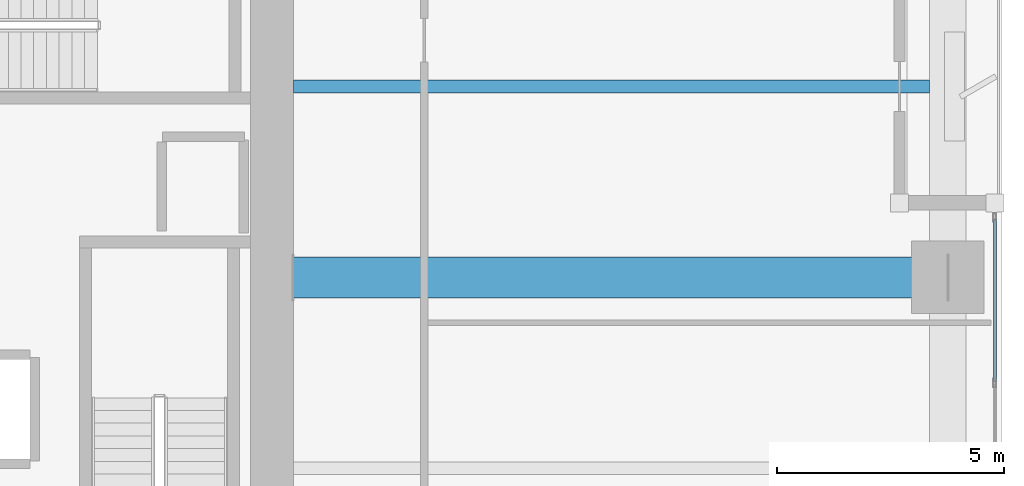
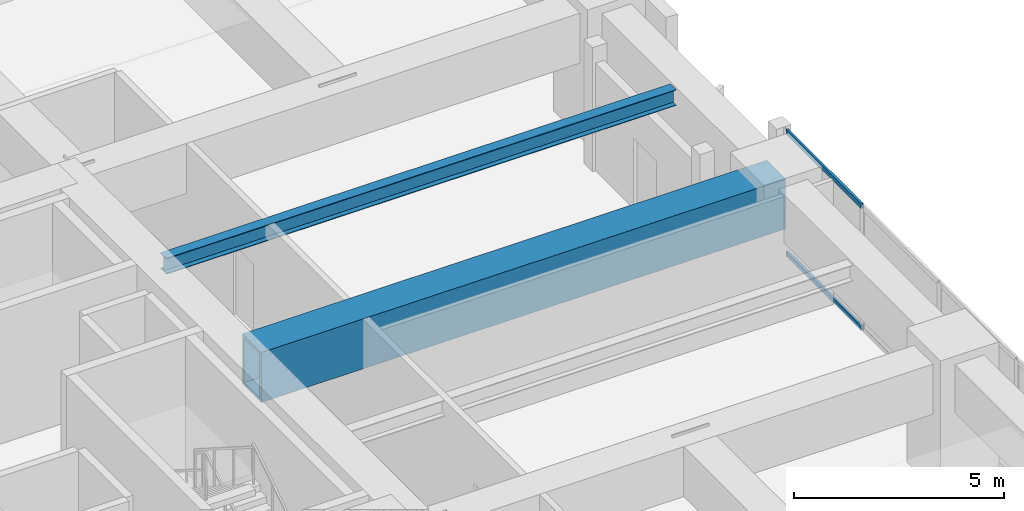
# One storey, part 9 of 28: 2 beams, 2 members, 1 element without a shape of its own.
"""IFC4 building model written with IfcOpenShell, lengths in metres."""

from ifc_helpers import new_model, si_unit, direction, frame, origin, origin_2d, place, context, subcontext, project, spatial, hollow_rectangle, i_section, extrude, material, layer, layer_set, material_profile, profile_set, type_object, element, aggregate, save


model = new_model("IFC4")

# Units and contexts
model_context = context("Model", 3, precision=1e-05, world=origin(), true_north=direction((0.0, 1.0)))
body_context = subcontext(model_context, "Body", "Model", "MODEL_VIEW")
ifc_project = project(units=[si_unit("LENGTHUNIT", "METRE"), si_unit("AREAUNIT", "SQUARE_METRE"), si_unit("VOLUMEUNIT", "CUBIC_METRE"), si_unit("PLANEANGLEUNIT", "RADIAN"), si_unit("MASSUNIT", "GRAM", prefix="KILO")], contexts=[model_context])

# Site, building, storey
site_placement = place(None, origin())
site = spatial("IfcSite", under=ifc_project, at=site_placement, CompositionType="ELEMENT")
building_placement = place(site_placement, origin())
building = spatial("IfcBuilding", under=site, at=building_placement, Name="Kiyonajd Concourse Tower", CompositionType="ELEMENT")
storey_placement = place(building_placement, frame((0.0, 0.0, 76.800048828125)))
storey = spatial("IfcBuildingStorey", under=building, at=storey_placement, Name="L20", CompositionType="ELEMENT", Elevation=76.800048828125)

# Beams
ifc_material_1 = material(Name="Steel ASTM A992 Grade 50", Category="steel")
ifc_material_profile_1 = material_profile(ifc_material_1, i_section(OverallWidth=0.280029296875, OverallDepth=0.462890625, WebThickness=0.0107421875, FlangeThickness=0.017333984375, at=origin_2d()), Name="W460X113")
ifc_profile_set_1 = profile_set([ifc_material_profile_1], Name="Steel ASTM A992 Grade 50")
beam_type_1 = type_object("IfcBeamType", Name="BM-JST-460A", PredefinedType="JOIST", material=ifc_profile_set_1)
beam_1_placement = place(storey_placement, frame((63.60009765625, 40.199951171875, 3.368408203125), z_axis=(1.0, 0.0, 0.0), x_axis=(0.0, 1.0, 0.0)))
element("IfcBeam", 1, at=beam_1_placement, inside=storey, type_object=beam_type_1, Name="L20 East Secondary Floor Joist", PredefinedType="JOIST", context=body_context, shape_type="SweptSolid", body=[
    extrude(i_section(OverallWidth=0.280029296875, OverallDepth=0.462890625, WebThickness=0.0107421875, FlangeThickness=0.017333984375, at=origin_2d()), origin(), (0.0, 0.0, 1.0), 14.0),
])
ifc_material_2 = material(Name="Steel ASTM A572 Grade 50", Category="steel")
ifc_material_profile_2 = material_profile(ifc_material_2, hollow_rectangle(XDim=0.89990234375, YDim=1.449951171875, WallThickness=0.074951171875, at=origin_2d()), Name="BOX-1450x900x75")
ifc_profile_set_2 = profile_set([ifc_material_profile_2], Name="Steel ASTM A572 Grade 50")
beam_type_2 = type_object("IfcBeamType", Name="BM-XFER-1800", PredefinedType="BEAM", material=ifc_profile_set_2)
beam_2_placement = place(storey_placement, frame((63.60009765625, 36.0, 2.875), z_axis=(1.0, 0.0, 0.0), x_axis=(0.0, 1.0, 0.0)))
element("IfcBeam", 2, at=beam_2_placement, inside=storey, type_object=beam_type_2, Name="L20 East Lease Girder", PredefinedType="BEAM", context=body_context, shape_type="SweptSolid", body=[
    extrude(hollow_rectangle(XDim=0.89990234375, YDim=1.449951171875, WallThickness=0.074951171875, at=origin_2d()), origin(), (0.0, 0.0, 1.0), 14.39990234375),
])

# Curtain wall, members
ifc_material_3 = material(Name="Thermally Broken Anodised Aluminium", Category="aluminium")
ifc_layer = layer(ifc_material_3, 0.179931640625)
ifc_layer_set = layer_set([ifc_layer], Name="Thermally Broken Anodised Aluminium")
curtain_wall_type = type_object("IfcCurtainWallType", Name="CW-SYS-02", PredefinedType="NOTDEFINED", material=ifc_layer_set)
curtain_wall_placement = place(storey_placement, origin())
curtain_wall = element("IfcCurtainWall", 3, at=curtain_wall_placement, inside=storey, type_object=curtain_wall_type, Name="L20 Unitised Curtain Wall CW2", PredefinedType="NOTDEFINED")
ifc_material_profile_3 = material_profile(ifc_material_3, hollow_rectangle(XDim=0.06494140625, YDim=0.139892578125, WallThickness=0.00390625, at=origin_2d()), Name="TRAN-65x140")
ifc_profile_set_3 = profile_set([ifc_material_profile_3], Name="Thermally Broken Anodised Aluminium")
member_type = type_object("IfcMemberType", Name="MB-CW-TRAN1", PredefinedType="USERDEFINED", material=ifc_profile_set_3)
member_1_placement = place(storey_placement, frame((79.0400390625, 37.284912109375, 0.032470703125), z_axis=(0.0, -1.0, 0.0), x_axis=(1.0, 0.0, 0.0)))
member_1 = element("IfcMember", 4, at=member_1_placement, type_object=member_type, Name="CW2 transom 1.1", ObjectType="TRANSOM", PredefinedType="USERDEFINED", context=body_context, shape_type="SweptSolid", body=[
    extrude(hollow_rectangle(XDim=0.06494140625, YDim=0.139892578125, WallThickness=0.00390625, at=origin_2d()), origin(), (0.0, 0.0, 1.0), 3.57568359375),
])
member_2_placement = place(storey_placement, frame((79.0400390625, 37.284912109375, 3.5673828125), z_axis=(0.0, -1.0, 0.0), x_axis=(1.0, 0.0, 0.0)))
member_2 = element("IfcMember", 5, at=member_2_placement, type_object=member_type, Name="CW2 transom 1.2", ObjectType="TRANSOM", PredefinedType="USERDEFINED", context=body_context, shape_type="SweptSolid", body=[
    extrude(hollow_rectangle(XDim=0.06494140625, YDim=0.139892578125, WallThickness=0.00390625, at=origin_2d()), origin(), (0.0, 0.0, 1.0), 3.57568359375),
])
aggregate(curtain_wall, [member_1, member_2])

save(model, "model.ifc")
